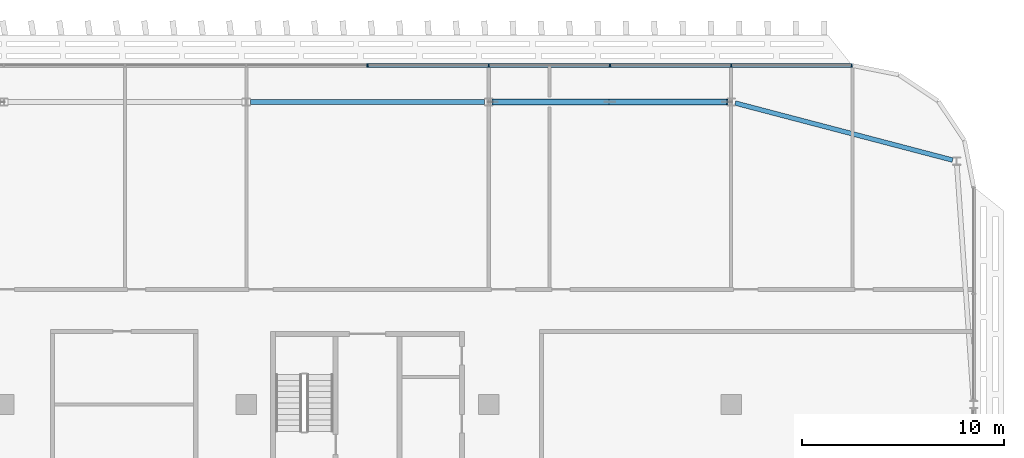
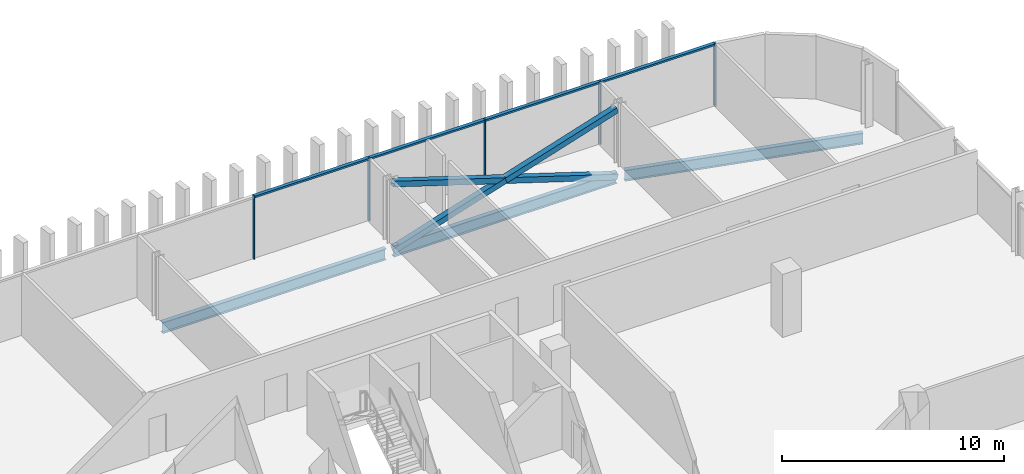
# One storey, part 14 of 32: 12 members, 3 beams, 1 element without a shape of its own.
"""IFC4 building model written with IfcOpenShell, lengths in metres."""

import ifcopenshell
import ifcopenshell.guid

model = None  # the IFC model being written
_history = None  # IfcOwnerHistory: only IFC2X3 demands one
_inside = {}  # id of a spatial element -> (the spatial element, [elements in it])
_under = {}  # id of a project, library or spatial element -> (it, [spatial elements below it])
_declared = {}  # id of a project -> (the project, [libraries it declares])
_typed = {}  # id of a type object -> (the type object, [elements of that type])
_made_of = {}  # id of a material, layer set ... -> (it, [elements and type objects made of it])


def new_model(schema):
    """Start an empty IFC model of exactly this schema.

    Asked for "IFC4X3", IfcOpenShell would pick the latest addendum, in which some entities
    have other attributes; the version numbers below select the first issue.
    IFC2X3 requires an IfcOwnerHistory on every rooted entity: one is made here for all.
    """
    global model, _history
    if schema == "IFC4X3":
        model = ifcopenshell.file(schema_version=(4, 3, 0, 0))
    else:
        model = ifcopenshell.file(schema=schema)
    _inside.clear()
    _under.clear()
    _declared.clear()
    _typed.clear()
    _made_of.clear()
    _history = None
    if model.schema == "IFC2X3":
        org = make("IfcOrganization", Name="unknown")
        user = make(
            "IfcPersonAndOrganization",
            ThePerson=make("IfcPerson", FamilyName="unknown"),
            TheOrganization=org,
        )
        app = make(
            "IfcApplication",
            ApplicationDeveloper=org,
            Version="unknown",
            ApplicationFullName="unknown",
            ApplicationIdentifier="unknown",
        )
        _history = make(
            "IfcOwnerHistory",
            OwningUser=user,
            OwningApplication=app,
            ChangeAction="ADDED",
            CreationDate=0,
        )
    return model


def make(cls, **values):
    """One entity of the class cls with the attributes given. An attribute that is None is left unset."""
    return model.create_entity(
        cls, **{name: value for name, value in values.items() if value is not None}
    )


def rooted(cls, **values):
    """An entity with a GlobalId (a new one), such as an element, a storey or a relation."""
    return make(cls, GlobalId=ifcopenshell.guid.new(), OwnerHistory=_history, **values)


def si_unit(unit_type, name, prefix=None):
    """IfcSIUnit, for example si_unit("LENGTHUNIT", "METRE", prefix="MILLI")."""
    return make("IfcSIUnit", UnitType=unit_type, Prefix=prefix, Name=name)


def assignment(units):
    """IfcUnitAssignment: the units of a project."""
    return None if units is None else make("IfcUnitAssignment", Units=units)


def point(xyz):
    """IfcCartesianPoint."""
    return None if xyz is None else make("IfcCartesianPoint", Coordinates=xyz)


def direction(xyz):
    """IfcDirection."""
    return None if xyz is None else make("IfcDirection", DirectionRatios=xyz)


def frame(location, z_axis=None, x_axis=None):
    """IfcAxis2Placement3D, a coordinate frame: its origin and axes. An axis left out is left unset."""
    return make(
        "IfcAxis2Placement3D",
        Location=point(location),
        Axis=direction(z_axis),
        RefDirection=direction(x_axis),
    )


def frame_2d(location, x_axis=None):
    """IfcAxis2Placement2D, a coordinate frame in the plane: its origin and x axis."""
    return make(
        "IfcAxis2Placement2D", Location=point(location), RefDirection=direction(x_axis)
    )


def origin():
    """The frame at (0, 0, 0) with its axes left unset."""
    return frame((0.0, 0.0, 0.0))


def origin_2d():
    """The frame at (0, 0) in the plane with its x axis left unset."""
    return frame_2d((0.0, 0.0))


def place(relative_to, where):
    """IfcLocalPlacement: puts the frame where relative to a parent placement (None: the world)."""
    return make(
        "IfcLocalPlacement", PlacementRelTo=relative_to, RelativePlacement=where
    )


def context(
    kind, dimensions, precision=None, world=None, true_north=None, identifier=None
):
    """IfcGeometricRepresentationContext, for example the 3D "Model" context."""
    return make(
        "IfcGeometricRepresentationContext",
        ContextIdentifier=identifier,
        ContextType=kind,
        CoordinateSpaceDimension=dimensions,
        Precision=precision,
        WorldCoordinateSystem=world,
        TrueNorth=true_north,
    )


def subcontext(parent, identifier, kind, view, scale=None):
    """IfcGeometricRepresentationSubContext, for example "Body" below "Model"."""
    return make(
        "IfcGeometricRepresentationSubContext",
        ContextIdentifier=identifier,
        ContextType=kind,
        ParentContext=parent,
        TargetScale=scale,
        TargetView=view,
    )


def project(units=None, contexts=None):
    """IfcProject with its units and contexts."""
    return rooted(
        "IfcProject",
        Name="project",
        RepresentationContexts=contexts,
        UnitsInContext=assignment(units),
    )


def spatial(cls, under=None, at=None, **own):
    """A site, building, storey or space (cls), placed at a placement, below another one or the project."""
    s = rooted(cls, ObjectPlacement=at, **own)
    if under is not None:
        _under.setdefault(under.id(), (under, []))[1].append(s)
    return s


def profile(cls, at=None, kind="AREA", **sizes):
    """A parametric profile (cls). Its sizes go by their IFC names, for example OverallWidth=200.0."""
    return make(cls, ProfileType=kind, Position=at, **sizes)


def rectangle(**sizes):
    """IfcRectangleProfileDef."""
    return profile("IfcRectangleProfileDef", **sizes)


def hollow_rectangle(**sizes):
    """IfcRectangleHollowProfileDef."""
    return profile("IfcRectangleHollowProfileDef", **sizes)


def i_section(**sizes):
    """IfcIShapeProfileDef."""
    return profile("IfcIShapeProfileDef", **sizes)


def extrude(swept, where, along, depth):
    """IfcExtrudedAreaSolid: the profile swept, set in the frame where, extruded along a direction by depth."""
    return make(
        "IfcExtrudedAreaSolid",
        SweptArea=swept,
        Position=where,
        ExtrudedDirection=direction(along),
        Depth=depth,
    )


def shape(context_of_items, identifier, shape_type, items):
    """IfcShapeRepresentation: the items that make up one representation, for example the "Body"."""
    return make(
        "IfcShapeRepresentation",
        ContextOfItems=context_of_items,
        RepresentationIdentifier=identifier,
        RepresentationType=shape_type,
        Items=items,
    )


def material(Name=None, Category=None):
    """IfcMaterial."""
    return make("IfcMaterial", Name=Name, Category=Category)


def material_profile(
    of_material, cross_section, Name=None, Category=None, Priority=None
):
    """IfcMaterialProfile: a cross section and its material."""
    return make(
        "IfcMaterialProfile",
        Name=Name,
        Material=of_material,
        Profile=cross_section,
        Priority=Priority,
        Category=Category,
    )


def profile_set(profiles, Name=None, composite=None):
    """IfcMaterialProfileSet."""
    return make(
        "IfcMaterialProfileSet",
        Name=Name,
        MaterialProfiles=profiles,
        CompositeProfile=composite,
    )


def made_of(thing, what):
    """Note that an element or type object is made of a material, layer set ...; save() writes the relation."""
    if what is not None:
        _made_of.setdefault(what.id(), (what, []))[1].append(thing)
    return thing


def type_object(cls, material=None, **own):
    """A type object (cls), such as IfcWallType, which elements share."""
    return made_of(rooted(cls, **own), material)


def element(
    cls,
    number,
    at=None,
    inside=None,
    cuts=None,
    type_object=None,
    material=None,
    context=None,
    identifier="Body",
    shape_type=None,
    held_by="IfcProductDefinitionShape",
    body=None,
    shapes=None,
    **own,
):
    """One element of the class cls, such as IfcWall. Its Tag is "e" and its number.

    at: its placement. inside: the storey or other place that contains it. cuts: it is an
    opening in that element (IfcRelVoidsElement). A single representation is given by context,
    identifier, shape_type and body (its items); several are given by shapes. held_by: the class
    of the entity that holds the representations. save() writes the other relations.
    """
    e = rooted(cls, Tag="e%d" % number, ObjectPlacement=at, **own)
    if body is not None:
        shapes = [shape(context, identifier, shape_type, body)]
    if shapes is not None:
        e.Representation = make(held_by, Representations=shapes)
    if inside is not None:
        _inside.setdefault(inside.id(), (inside, []))[1].append(e)
    if cuts is not None:
        rooted(
            "IfcRelVoidsElement", RelatingBuildingElement=cuts, RelatedOpeningElement=e
        )
    if type_object is not None:
        _typed.setdefault(type_object.id(), (type_object, []))[1].append(e)
    return made_of(e, material)


def aggregate(whole, parts):
    """IfcRelAggregates: a whole, such as a stair, and the parts it consists of."""
    return rooted("IfcRelAggregates", RelatingObject=whole, RelatedObjects=parts)


def save(model, path):
    """Write the relations noted so far, then the file.

    IfcRelAggregates (storeys below a building ...), IfcRelContainedInSpatialStructure (elements
    in a storey), IfcRelDefinesByType, IfcRelAssociatesMaterial and IfcRelDeclares: one each for
    every whole, place, type object, material and project.
    """
    for whole, parts in _under.values():
        aggregate(whole, parts)
    for where, things in _inside.values():
        rooted(
            "IfcRelContainedInSpatialStructure",
            RelatedElements=things,
            RelatingStructure=where,
        )
    for kind, things in _typed.values():
        rooted("IfcRelDefinesByType", RelatedObjects=things, RelatingType=kind)
    for what, things in _made_of.values():
        rooted("IfcRelAssociatesMaterial", RelatedObjects=things, RelatingMaterial=what)
    for by, libraries in _declared.values():
        rooted("IfcRelDeclares", RelatingContext=by, RelatedDefinitions=libraries)
    model.write(path)


model = new_model("IFC4")

# Units and contexts
model_context = context("Model", 3, precision=1e-05, world=origin(), true_north=direction((0.0, 1.0)))
body_context = subcontext(model_context, "Body", "Model", "MODEL_VIEW")
ifc_project = project(units=[si_unit("LENGTHUNIT", "METRE"), si_unit("AREAUNIT", "SQUARE_METRE"), si_unit("VOLUMEUNIT", "CUBIC_METRE"), si_unit("PLANEANGLEUNIT", "RADIAN"), si_unit("MASSUNIT", "GRAM", prefix="KILO")], contexts=[model_context])

# Site, building, storey
site_placement = place(None, origin())
site = spatial("IfcSite", under=ifc_project, at=site_placement, CompositionType="ELEMENT")
building_placement = place(site_placement, origin())
building = spatial("IfcBuilding", under=site, at=building_placement, Name="Mahtab Terrace Research Tower", CompositionType="ELEMENT")
storey_placement = place(building_placement, frame((0.0, 0.0, 236.199951171875)))
storey = spatial("IfcBuildingStorey", under=building, at=storey_placement, Name="L57", CompositionType="ELEMENT", Elevation=236.199951171875)

# Members
ifc_material_1 = material(Name="Steel ASTM A500 Gr C", Category="steel")
ifc_material_profile_1 = material_profile(ifc_material_1, hollow_rectangle(XDim=0.3046875, YDim=0.3046875, WallThickness=0.015869140625, at=origin_2d()), Name="HSS12X12X5/8")
ifc_profile_set_1 = profile_set([ifc_material_profile_1], Name="Steel ASTM A500 Gr C")
member_type_1 = type_object("IfcMemberType", Name="HSS 12x12x5/8 brace XB121258", PredefinedType="BRACE", material=ifc_profile_set_1)
member_1_placement = place(storey_placement, frame((41.800537109375, 26.472900390625, -0.580322265625), z_axis=(-0.953344342533, 0.0, 0.301885018774), x_axis=(0.0, -1.0, 0.0)))
element("IfcMember", 1, at=member_1_placement, inside=storey, type_object=member_type_1, Name="Exoskeleton brace L57 02 a", PredefinedType="BRACE", context=body_context, shape_type="SweptSolid", body=[
    extrude(hollow_rectangle(XDim=0.3046875, YDim=0.3046875, WallThickness=0.015869140625, at=origin_2d()), origin(), (0.0, 0.0, 1.0), 12.168701171875),
])
for number, where, z_axis, x_axis, name in (
    (2, (30.199462890625, 26.472900390625, -0.580322265625), (0.953338568311, 0.0, 0.301903252998), (0.0, 1.0, 0.0), "Exoskeleton brace L57 02 b1"),
    (3, (36.0, 26.472900390625, 1.256591796875), (0.953350116476, 0.0, 0.301866784219), (0.0, 1.0, 0.0), "Exoskeleton brace L57 02 b2"),
):
    element("IfcMember", number, at=place(storey_placement, frame(where, z_axis=z_axis, x_axis=x_axis)), inside=storey, type_object=member_type_1, Name=name, PredefinedType="BRACE", context=body_context, shape_type="SweptSolid", body=[
        extrude(hollow_rectangle(XDim=0.3046875, YDim=0.3046875, WallThickness=0.015869140625, at=origin_2d()), origin(), (0.0, 0.0, 1.0), 6.08447265625),
    ])

# Curtain wall, members
ifc_material_2 = material(Name="Office ribbon curtain wall")
curtain_wall_type = type_object("IfcCurtainWallType", Name="Office ribbon curtain wall", PredefinedType="NOTDEFINED", material=ifc_material_2)
curtain_wall_placement = place(storey_placement, origin())
curtain_wall = element("IfcCurtainWall", 4, at=curtain_wall_placement, inside=storey, type_object=curtain_wall_type, Name="EN.L57.3.3", PredefinedType="NOTDEFINED")
ifc_material_3 = material(Name="Natural anodised aluminium", Category="aluminium")
ifc_material_profile_2 = material_profile(ifc_material_3, rectangle(XDim=0.179931640625, YDim=0.06005859375, at=origin_2d()), Name="MULLION 60x180")
ifc_profile_set_2 = profile_set([ifc_material_profile_2], Name="Natural anodised aluminium")
member_type_2 = type_object("IfcMemberType", Name="Office ribbon curtain wall mullion", PredefinedType="MULLION", material=ifc_profile_set_2)
member_2_placement = place(storey_placement, frame((47.969970703125, 28.278076171875, 0.0), z_axis=(0.0, 0.0, 1.0), x_axis=(0.0, -1.0, 0.0)))
member_2 = element("IfcMember", 5, at=member_2_placement, type_object=member_type_2, Name="CWO-7 mullion 1", PredefinedType="MULLION", context=body_context, shape_type="SweptSolid", body=[
    extrude(rectangle(XDim=0.179931640625, YDim=0.06005859375, at=origin_2d()), origin(), (0.0, 0.0, 1.0), 3.4599609375),
])
member_3_placement = place(storey_placement, frame((42.0, 28.278076171875, 0.0), z_axis=(0.0, 0.0, 1.0), x_axis=(0.0, -1.0, 0.0)))
member_3 = element("IfcMember", 6, at=member_3_placement, type_object=member_type_2, Name="CWO-7 mullion 2", PredefinedType="MULLION", context=body_context, shape_type="SweptSolid", body=[
    extrude(rectangle(XDim=0.179931640625, YDim=0.06005859375, at=origin_2d()), origin(), (0.0, 0.0, 1.0), 3.4599609375),
])
member_4_placement = place(storey_placement, frame((36.0, 28.278076171875, 0.0), z_axis=(0.0, 0.0, 1.0), x_axis=(0.0, -1.0, 0.0)))
member_4 = element("IfcMember", 7, at=member_4_placement, type_object=member_type_2, Name="CWO-7 mullion 3", PredefinedType="MULLION", context=body_context, shape_type="SweptSolid", body=[
    extrude(rectangle(XDim=0.179931640625, YDim=0.06005859375, at=origin_2d()), origin(), (0.0, 0.0, 1.0), 3.4599609375),
])
member_5_placement = place(storey_placement, frame((30.0, 28.278076171875, 0.0), z_axis=(0.0, 0.0, 1.0), x_axis=(0.0, -1.0, 0.0)))
member_5 = element("IfcMember", 8, at=member_5_placement, type_object=member_type_2, Name="CWO-7 mullion 4", PredefinedType="MULLION", context=body_context, shape_type="SweptSolid", body=[
    extrude(rectangle(XDim=0.179931640625, YDim=0.06005859375, at=origin_2d()), origin(), (0.0, 0.0, 1.0), 3.4599609375),
])
member_6_placement = place(storey_placement, frame((24.0, 28.278076171875, 0.0), z_axis=(0.0, 0.0, 1.0), x_axis=(0.0, -1.0, 0.0)))
member_6 = element("IfcMember", 9, at=member_6_placement, type_object=member_type_2, Name="CWO-7 mullion 5", PredefinedType="MULLION", context=body_context, shape_type="SweptSolid", body=[
    extrude(rectangle(XDim=0.179931640625, YDim=0.06005859375, at=origin_2d()), origin(), (0.0, 0.0, 1.0), 3.4599609375),
])
ifc_material_profile_3 = material_profile(ifc_material_3, rectangle(XDim=0.179931640625, YDim=0.10009765625, at=origin_2d()), Name="TRANSOM 100x180")
ifc_profile_set_3 = profile_set([ifc_material_profile_3], Name="Natural anodised aluminium")
member_type_3 = type_object("IfcMemberType", Name="Office ribbon curtain wall transom", PredefinedType="USERDEFINED", material=ifc_profile_set_3)
member_7_placement = place(storey_placement, frame((47.93994140625, 28.278076171875, 3.41015625), z_axis=(-1.0, 0.0, 0.0), x_axis=(0.0, -1.0, 0.0)))
member_7 = element("IfcMember", 10, at=member_7_placement, type_object=member_type_3, Name="CWO-7 transom 1", ObjectType="TRANSOM", PredefinedType="USERDEFINED", context=body_context, shape_type="SweptSolid", body=[
    extrude(rectangle(XDim=0.179931640625, YDim=0.10009765625, at=origin_2d()), origin(), (0.0, 0.0, 1.0), 5.909912109375),
])
member_8_placement = place(storey_placement, frame((41.969970703125, 28.278076171875, 3.41015625), z_axis=(-1.0, 0.0, 0.0), x_axis=(0.0, -1.0, 0.0)))
member_8 = element("IfcMember", 11, at=member_8_placement, type_object=member_type_3, Name="CWO-7 transom 2", ObjectType="TRANSOM", PredefinedType="USERDEFINED", context=body_context, shape_type="SweptSolid", body=[
    extrude(rectangle(XDim=0.179931640625, YDim=0.10009765625, at=origin_2d()), origin(), (0.0, 0.0, 1.0), 5.93994140625),
])
member_9_placement = place(storey_placement, frame((35.969970703125, 28.278076171875, 3.41015625), z_axis=(-1.0, 0.0, 0.0), x_axis=(0.0, -1.0, 0.0)))
member_9 = element("IfcMember", 12, at=member_9_placement, type_object=member_type_3, Name="CWO-7 transom 3", ObjectType="TRANSOM", PredefinedType="USERDEFINED", context=body_context, shape_type="SweptSolid", body=[
    extrude(rectangle(XDim=0.179931640625, YDim=0.10009765625, at=origin_2d()), origin(), (0.0, 0.0, 1.0), 5.93994140625),
])
member_10_placement = place(storey_placement, frame((29.969970703125, 28.278076171875, 3.41015625), z_axis=(-1.0, 0.0, 0.0), x_axis=(0.0, -1.0, 0.0)))
member_10 = element("IfcMember", 13, at=member_10_placement, type_object=member_type_3, Name="CWO-7 transom 4", ObjectType="TRANSOM", PredefinedType="USERDEFINED", context=body_context, shape_type="SweptSolid", body=[
    extrude(rectangle(XDim=0.179931640625, YDim=0.10009765625, at=origin_2d()), origin(), (0.0, 0.0, 1.0), 5.93994140625),
])
aggregate(curtain_wall, [member_2, member_3, member_4, member_5, member_6, member_7, member_8, member_9, member_10])

# Beams
ifc_material_4 = material(Name="Steel ASTM A992 Gr 50", Category="steel")
ifc_material_profile_4 = material_profile(ifc_material_4, i_section(OverallWidth=0.228271484375, OverallDepth=0.607177734375, WebThickness=0.01123046875, FlangeThickness=0.017333984375, at=origin_2d()), Name="W24X76")
ifc_profile_set_4 = profile_set([ifc_material_profile_4], Name="Steel ASTM A992 Gr 50")
beam_type = type_object("IfcBeamType", Name="W24x76 beam BS2476", PredefinedType="BEAM", material=ifc_profile_set_4)
beam_placement = place(storey_placement, frame((52.95458984375, 23.598388671875, -0.6435546875), z_axis=(-0.967252058434, 0.253817760323, 0.0), x_axis=(-0.253817760323, -0.967252058434, 0.0)))
element("IfcBeam", 14, at=beam_placement, inside=storey, type_object=beam_type, Name="Spandrel beam L57 01", PredefinedType="BEAM", context=body_context, shape_type="SweptSolid", body=[
    extrude(i_section(OverallWidth=0.228271484375, OverallDepth=0.607177734375, WebThickness=0.01123046875, FlangeThickness=0.017333984375, at=origin_2d()), origin(), (0.0, 0.0, 1.0), 11.119140625),
])
for number, where, z_axis, x_axis, name in (
    (15, (41.800537109375, 26.472900390625, -0.6435546875), (-1.0, 0.0, 0.0), (0.0, -1.0, 0.0), "Spandrel beam L57 02"),
    (16, (29.800537109375, 26.472900390625, -0.6435546875), (-1.0, 0.0, 0.0), (0.0, -1.0, 0.0), "Spandrel beam L57 03"),
):
    element("IfcBeam", number, at=place(storey_placement, frame(where, z_axis=z_axis, x_axis=x_axis)), inside=storey, type_object=beam_type, Name=name, PredefinedType="BEAM", context=body_context, shape_type="SweptSolid", body=[
        extrude(i_section(OverallWidth=0.228271484375, OverallDepth=0.607177734375, WebThickness=0.01123046875, FlangeThickness=0.017333984375, at=origin_2d()), origin(), (0.0, 0.0, 1.0), 11.60107421875),
    ])

save(model, "model.ifc")
